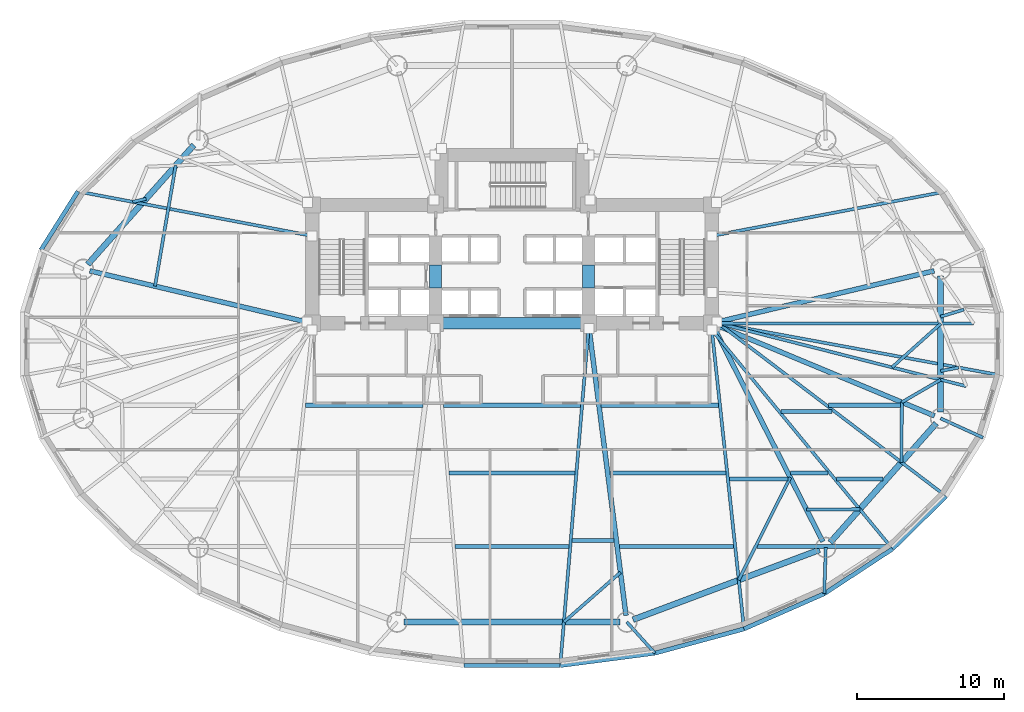
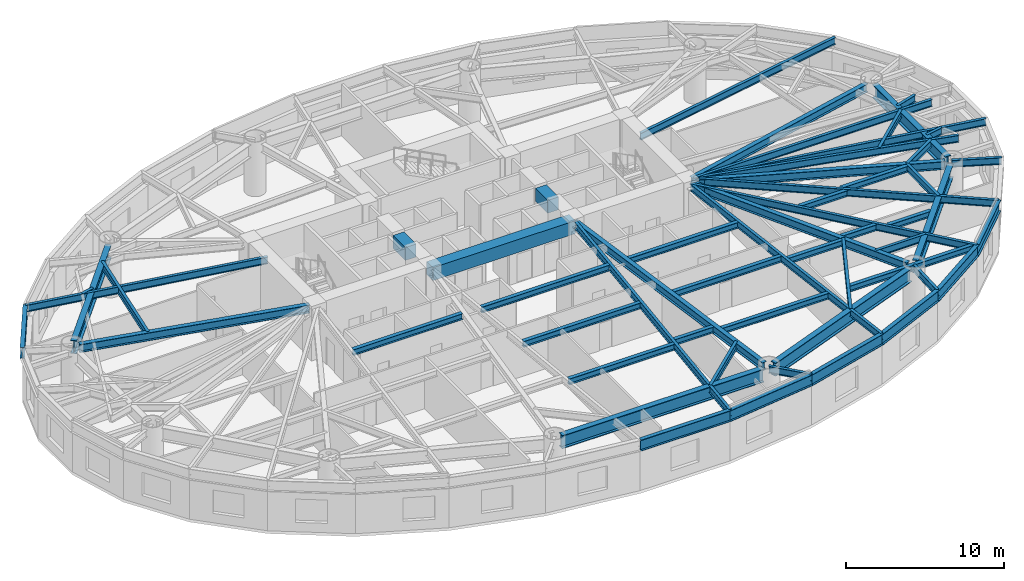
# One storey, part 2 of 14: 56 beams.
"""IFC4 building model written with IfcOpenShell, lengths in metres."""

from ifc_helpers import new_model, si_unit, direction, frame, origin, origin_2d, place, context, subcontext, project, spatial, rectangle, i_section, extrude, material, material_profile, profile_set, type_object, element, save


model = new_model("IFC4")

# Units and contexts
model_context = context("Model", 3, precision=1e-05, world=origin(), true_north=direction((0.0, 1.0)))
body_context = subcontext(model_context, "Body", "Model", "MODEL_VIEW")
ifc_project = project(units=[si_unit("LENGTHUNIT", "METRE"), si_unit("AREAUNIT", "SQUARE_METRE"), si_unit("VOLUMEUNIT", "CUBIC_METRE"), si_unit("PLANEANGLEUNIT", "RADIAN"), si_unit("MASSUNIT", "GRAM", prefix="KILO")], contexts=[model_context])

# Site, building, storey
site_placement = place(None, origin())
site = spatial("IfcSite", under=ifc_project, at=site_placement, CompositionType="ELEMENT")
building_placement = place(site_placement, origin())
building = spatial("IfcBuilding", under=site, at=building_placement, Name="Keldmark Tower", CompositionType="ELEMENT")
storey_placement = place(building_placement, frame((0.0, 0.0, 18.60009765625)))
storey = spatial("IfcBuildingStorey", under=building, at=storey_placement, Name="L04", CompositionType="ELEMENT", Elevation=18.60009765625)

# Beams
ifc_material_1 = material(Name="Steel ASTM A992 Grade 50", Category="steel")
ifc_material_profile_1 = material_profile(ifc_material_1, i_section(OverallWidth=0.280029296875, OverallDepth=0.462890625, WebThickness=0.0107421875, FlangeThickness=0.017333984375, at=origin_2d()), Name="W18X76")
ifc_profile_set_1 = profile_set([ifc_material_profile_1], Name="Steel ASTM A992 Grade 50")
beam_type_1 = type_object("IfcBeamType", Name="Composite Floor Joist W18X76", PredefinedType="JOIST", material=ifc_profile_set_1)
beam_1_placement = place(storey_placement, frame((-3.8662109375, -13.800048828125, 3.748291015625), z_axis=(1.0, 0.0, 0.0), x_axis=(0.0, 1.0, 0.0)))
element("IfcBeam", 1, at=beam_1_placement, inside=storey, type_object=beam_type_1, Name="L04 Composite Floor Joist J04", PredefinedType="JOIST", context=body_context, shape_type="SweptSolid", body=[
    extrude(i_section(OverallWidth=0.280029296875, OverallDepth=0.462890625, WebThickness=0.0107421875, FlangeThickness=0.017333984375, at=origin_2d()), origin(), (0.0, 0.0, 1.0), 7.732421875),
])
beam_2_placement = place(storey_placement, frame((4.09423828125, -13.3798828125, 3.748291015625), z_axis=(1.0, 0.0, 0.0), x_axis=(0.0, 1.0, 0.0)))
element("IfcBeam", 2, at=beam_2_placement, inside=storey, type_object=beam_type_1, Name="L04 Composite Floor Joist J05", PredefinedType="JOIST", context=body_context, shape_type="SweptSolid", body=[
    extrude(i_section(OverallWidth=0.280029296875, OverallDepth=0.462890625, WebThickness=0.0107421875, FlangeThickness=0.017333984375, at=origin_2d()), origin(), (0.0, 0.0, 1.0), 2.851806640625),
])
beam_3_placement = place(storey_placement, frame((7.311767578125, -13.800048828125, 3.748291015625), z_axis=(1.0, 0.0, 0.0), x_axis=(0.0, 1.0, 0.0)))
element("IfcBeam", 3, at=beam_3_placement, inside=storey, type_object=beam_type_1, Name="L04 Composite Floor Joist J06", PredefinedType="JOIST", context=body_context, shape_type="SweptSolid", body=[
    extrude(i_section(OverallWidth=0.280029296875, OverallDepth=0.462890625, WebThickness=0.0107421875, FlangeThickness=0.017333984375, at=origin_2d()), origin(), (0.0, 0.0, 1.0), 7.780029296875),
])
beam_4_placement = place(storey_placement, frame((16.68310546875, -13.800048828125, 3.748291015625), z_axis=(1.0, 0.0, 0.0), x_axis=(0.0, 1.0, 0.0)))
element("IfcBeam", 4, at=beam_4_placement, inside=storey, type_object=beam_type_1, Name="L04 Composite Floor Joist J07", PredefinedType="JOIST", context=body_context, shape_type="SweptSolid", body=[
    extrude(i_section(OverallWidth=0.280029296875, OverallDepth=0.462890625, WebThickness=0.0107421875, FlangeThickness=0.017333984375, at=origin_2d()), origin(), (0.0, 0.0, 1.0), 8.95751953125),
])
beam_5_placement = place(storey_placement, frame((-4.287353515625, -8.780029296875, 3.748291015625), z_axis=(1.0, 0.0, 0.0), x_axis=(0.0, 1.0, 0.0)))
element("IfcBeam", 5, at=beam_5_placement, inside=storey, type_object=beam_type_1, Name="L04 Composite Floor Joist J12", PredefinedType="JOIST", context=body_context, shape_type="SweptSolid", body=[
    extrude(i_section(OverallWidth=0.280029296875, OverallDepth=0.462890625, WebThickness=0.0107421875, FlangeThickness=0.017333984375, at=origin_2d()), origin(), (0.0, 0.0, 1.0), 8.57470703125),
])
beam_6_placement = place(storey_placement, frame((6.665771484375, -8.780029296875, 3.748291015625), z_axis=(1.0, 0.0, 0.0), x_axis=(0.0, 1.0, 0.0)))
element("IfcBeam", 6, at=beam_6_placement, inside=storey, type_object=beam_type_1, Name="L04 Composite Floor Joist J13", PredefinedType="JOIST", context=body_context, shape_type="SweptSolid", body=[
    extrude(i_section(OverallWidth=0.280029296875, OverallDepth=0.462890625, WebThickness=0.0107421875, FlangeThickness=0.017333984375, at=origin_2d()), origin(), (0.0, 0.0, 1.0), 7.885498046875),
])
beam_7_placement = place(storey_placement, frame((14.789794921875, -9.199951171875, 3.748291015625), z_axis=(1.0, 0.0, 0.0), x_axis=(0.0, 1.0, 0.0)))
element("IfcBeam", 7, at=beam_7_placement, inside=storey, type_object=beam_type_1, Name="L04 Composite Floor Joist J14", PredefinedType="JOIST", context=body_context, shape_type="SweptSolid", body=[
    extrude(i_section(OverallWidth=0.280029296875, OverallDepth=0.462890625, WebThickness=0.0107421875, FlangeThickness=0.017333984375, at=origin_2d()), origin(), (0.0, 0.0, 1.0), 3.982421875),
])
beam_8_placement = place(storey_placement, frame((18.947265625, -8.780029296875, 3.748291015625), z_axis=(1.0, 0.0, 0.0), x_axis=(0.0, 1.0, 0.0)))
element("IfcBeam", 8, at=beam_8_placement, inside=storey, type_object=beam_type_1, Name="L04 Composite Floor Joist J15", PredefinedType="JOIST", context=body_context, shape_type="SweptSolid", body=[
    extrude(i_section(OverallWidth=0.280029296875, OverallDepth=0.462890625, WebThickness=0.0107421875, FlangeThickness=0.017333984375, at=origin_2d()), origin(), (0.0, 0.0, 1.0), 2.552734375),
])
beam_9_placement = place(storey_placement, frame((22.09814453125, -9.199951171875, 3.748291015625), z_axis=(1.0, 0.0, 0.0), x_axis=(0.0, 1.0, 0.0)))
element("IfcBeam", 9, at=beam_9_placement, inside=storey, type_object=beam_type_1, Name="L04 Composite Floor Joist J16", PredefinedType="JOIST", context=body_context, shape_type="SweptSolid", body=[
    extrude(i_section(OverallWidth=0.280029296875, OverallDepth=0.462890625, WebThickness=0.0107421875, FlangeThickness=0.017333984375, at=origin_2d()), origin(), (0.0, 0.0, 1.0), 3.142822265625),
])
beam_10_placement = place(storey_placement, frame((-14.055908203125, -4.179931640625, 3.748291015625), z_axis=(1.0, 0.0, 0.0), x_axis=(0.0, 1.0, 0.0)))
element("IfcBeam", 10, at=beam_10_placement, inside=storey, type_object=beam_type_1, Name="L04 Composite Floor Joist J20", PredefinedType="JOIST", context=body_context, shape_type="SweptSolid", body=[
    extrude(i_section(OverallWidth=0.280029296875, OverallDepth=0.462890625, WebThickness=0.0107421875, FlangeThickness=0.017333984375, at=origin_2d()), origin(), (0.0, 0.0, 1.0), 7.98193359375),
])
beam_11_placement = place(storey_placement, frame((-4.67333984375, -4.179931640625, 3.748291015625), z_axis=(1.0, 0.0, 0.0), x_axis=(0.0, 1.0, 0.0)))
element("IfcBeam", 11, at=beam_11_placement, inside=storey, type_object=beam_type_1, Name="L04 Composite Floor Joist J21", PredefinedType="JOIST", context=body_context, shape_type="SweptSolid", body=[
    extrude(i_section(OverallWidth=0.280029296875, OverallDepth=0.462890625, WebThickness=0.0107421875, FlangeThickness=0.017333984375, at=origin_2d()), origin(), (0.0, 0.0, 1.0), 9.3466796875),
])
beam_12_placement = place(storey_placement, frame((6.073974609375, -4.179931640625, 3.748291015625), z_axis=(1.0, 0.0, 0.0), x_axis=(0.0, 1.0, 0.0)))
element("IfcBeam", 12, at=beam_12_placement, inside=storey, type_object=beam_type_1, Name="L04 Composite Floor Joist J22", PredefinedType="JOIST", context=body_context, shape_type="SweptSolid", body=[
    extrude(i_section(OverallWidth=0.280029296875, OverallDepth=0.462890625, WebThickness=0.0107421875, FlangeThickness=0.017333984375, at=origin_2d()), origin(), (0.0, 0.0, 1.0), 7.98193359375),
])
beam_13_placement = place(storey_placement, frame((18.303955078125, -4.60009765625, 3.748291015625), z_axis=(1.0, 0.0, 0.0), x_axis=(0.0, 1.0, 0.0)))
element("IfcBeam", 13, at=beam_13_placement, inside=storey, type_object=beam_type_1, Name="L04 Composite Floor Joist J23", PredefinedType="JOIST", context=body_context, shape_type="SweptSolid", body=[
    extrude(i_section(OverallWidth=0.280029296875, OverallDepth=0.462890625, WebThickness=0.0107421875, FlangeThickness=0.017333984375, at=origin_2d()), origin(), (0.0, 0.0, 1.0), 3.482177734375),
])
beam_14_placement = place(storey_placement, frame((21.55712890625, -4.179931640625, 3.748291015625), z_axis=(1.0, 0.0, 0.0), x_axis=(0.0, 1.0, 0.0)))
element("IfcBeam", 14, at=beam_14_placement, inside=storey, type_object=beam_type_1, Name="L04 Composite Floor Joist J24", PredefinedType="JOIST", context=body_context, shape_type="SweptSolid", body=[
    extrude(i_section(OverallWidth=0.280029296875, OverallDepth=0.462890625, WebThickness=0.0107421875, FlangeThickness=0.017333984375, at=origin_2d()), origin(), (0.0, 0.0, 1.0), 4.87646484375),
])
ifc_material_2 = material(Name="Concrete C70/85", Category="concrete")
ifc_material_profile_2 = material_profile(ifc_material_2, rectangle(XDim=0.800048828125, YDim=1.0, at=origin_2d()), Name="RCB800X1000")
ifc_profile_set_2 = profile_set([ifc_material_profile_2], Name="Concrete C70/85")
beam_type_2 = type_object("IfcBeamType", Name="Core Coupling Beam RCB800X1000", PredefinedType="USERDEFINED", material=ifc_profile_set_2)
for number, where, z_axis, x_axis, name in (
    (15, (-5.199951171875, 3.800048828125, 3.47998046875), (0.0, 1.0, 0.0), (-1.0, 0.0, 0.0), "L04 West Core Coupling Beam"),
    (16, (5.199951171875, 3.800048828125, 3.47998046875), (0.0, 1.0, 0.0), (-1.0, 0.0, 0.0), "L04 East Core Coupling Beam"),
):
    element("IfcBeam", number, at=place(storey_placement, frame(where, z_axis=z_axis, x_axis=x_axis)), inside=storey, type_object=beam_type_2, Name=name, ObjectType="COUPLING BEAM", PredefinedType="USERDEFINED", context=body_context, shape_type="SweptSolid", body=[
        extrude(rectangle(XDim=0.800048828125, YDim=1.0, at=origin_2d()), origin(), (0.0, 0.0, 1.0), 1.550048828125),
    ])
beam_15_placement = place(storey_placement, frame((-5.199951171875, 1.39990234375, 3.47998046875), z_axis=(1.0, 0.0, 0.0), x_axis=(0.0, 1.0, 0.0)))
element("IfcBeam", 17, at=beam_15_placement, inside=storey, type_object=beam_type_2, Name="L04 Central South Core Coupling Beam", ObjectType="COUPLING BEAM", PredefinedType="USERDEFINED", context=body_context, shape_type="SweptSolid", body=[
    extrude(rectangle(XDim=0.800048828125, YDim=1.0, at=origin_2d()), origin(), (0.0, 0.0, 1.0), 10.39990234375),
])
ifc_material_3 = material(Name="Steel ASTM A992 Grade 50", Category="steel")
ifc_material_profile_3 = material_profile(ifc_material_3, i_section(OverallWidth=0.402099609375, OverallDepth=1.011962890625, WebThickness=0.023681640625, FlangeThickness=0.0419921875, at=origin_2d()), Name="W40X297")
ifc_profile_set_3 = profile_set([ifc_material_profile_3], Name="Steel ASTM A992 Grade 50")
beam_type_3 = type_object("IfcBeamType", Name="Podium Primary Girder W40X297", PredefinedType="BEAM", material=ifc_profile_set_3)
beam_16_placement = place(storey_placement, frame((-21.65380859375, 13.523193359375, 3.473876953125), z_axis=(-0.66464984112, -0.747154996436, 0.0), x_axis=(0.747154996436, -0.66464984112, 0.0)))
element("IfcBeam", 18, at=beam_16_placement, inside=storey, type_object=beam_type_3, Name="L04 Podium Ring Girder PG-R05", PredefinedType="BEAM", context=body_context, shape_type="SweptSolid", body=[
    extrude(i_section(OverallWidth=0.402099609375, OverallDepth=1.011962890625, WebThickness=0.023681640625, FlangeThickness=0.0419921875, at=origin_2d()), origin(), (0.0, 0.0, 1.0), 10.85986328125),
])
beam_17_placement = place(storey_placement, frame((-7.3662109375, -18.93212890625, 3.473876953125), z_axis=(1.0, 0.0, 0.0), x_axis=(0.0, 1.0, 0.0)))
element("IfcBeam", 19, at=beam_17_placement, inside=storey, type_object=beam_type_3, Name="L04 Podium Ring Girder PG-R09", PredefinedType="BEAM", context=body_context, shape_type="SweptSolid", body=[
    extrude(i_section(OverallWidth=0.402099609375, OverallDepth=1.011962890625, WebThickness=0.023681640625, FlangeThickness=0.0419921875, at=origin_2d()), origin(), (0.0, 0.0, 1.0), 14.732421875),
])
beam_18_placement = place(storey_placement, frame((8.23779296875, -18.774169921875, 3.473876953125), z_axis=(0.936417954382, 0.350886612329, 0.0), x_axis=(-0.350886612329, 0.936417954382, 0.0)))
element("IfcBeam", 20, at=beam_18_placement, inside=storey, type_object=beam_type_3, Name="L04 Podium Ring Girder PG-R10", PredefinedType="BEAM", context=body_context, shape_type="SweptSolid", body=[
    extrude(i_section(OverallWidth=0.402099609375, OverallDepth=1.011962890625, WebThickness=0.023681640625, FlangeThickness=0.0419921875, at=origin_2d()), origin(), (0.0, 0.0, 1.0), 13.557373046875),
])
beam_19_placement = place(storey_placement, frame((21.65380859375, -13.523193359375, 3.473876953125), z_axis=(0.66464984112, 0.747154996436, 0.0), x_axis=(-0.747154996436, 0.66464984112, 0.0)))
element("IfcBeam", 21, at=beam_19_placement, inside=storey, type_object=beam_type_3, Name="L04 Podium Ring Girder PG-R11", PredefinedType="BEAM", context=body_context, shape_type="SweptSolid", body=[
    extrude(i_section(OverallWidth=0.402099609375, OverallDepth=1.011962890625, WebThickness=0.023681640625, FlangeThickness=0.0419921875, at=origin_2d()), origin(), (0.0, 0.0, 1.0), 10.85986328125),
])
beam_20_placement = place(storey_placement, frame((29.1708984375, -4.622802734375, 3.473876953125), z_axis=(0.0, 1.0, 0.0), x_axis=(-1.0, 0.0, 0.0)))
element("IfcBeam", 22, at=beam_20_placement, inside=storey, type_object=beam_type_3, Name="L04 Podium Ring Girder PG-R12", PredefinedType="BEAM", context=body_context, shape_type="SweptSolid", body=[
    extrude(i_section(OverallWidth=0.402099609375, OverallDepth=1.011962890625, WebThickness=0.023681640625, FlangeThickness=0.0419921875, at=origin_2d()), origin(), (0.0, 0.0, 1.0), 9.24560546875),
])
ifc_material_4 = material(Name="Steel ASTM A992 Grade 50", Category="steel")
ifc_material_profile_4 = material_profile(ifc_material_4, i_section(OverallWidth=0.2099609375, OverallDepth=0.537109375, WebThickness=0.010986328125, FlangeThickness=0.017333984375, at=origin_2d()), Name="W21X68")
ifc_profile_set_4 = profile_set([ifc_material_profile_4], Name="Steel ASTM A992 Grade 50")
beam_type_4 = type_object("IfcBeamType", Name="Radial Tie Girder W21X68", PredefinedType="BEAM", material=ifc_profile_set_4)
beam_21_placement = place(storey_placement, frame((-24.29541015625, 3.9228515625, 3.71142578125), z_axis=(0.168727090465, 0.985662806919, 0.0), x_axis=(-0.985662806919, 0.168727090465, 0.0)))
element("IfcBeam", 23, at=beam_21_placement, inside=storey, type_object=beam_type_4, Name="L04 Framing Pin Header PH-002", PredefinedType="BEAM", context=body_context, shape_type="SweptSolid", body=[
    extrude(i_section(OverallWidth=0.2099609375, OverallDepth=0.537109375, WebThickness=0.010986328125, FlangeThickness=0.017333984375, at=origin_2d()), origin(), (0.0, 0.0, 1.0), 8.330078125),
])
beam_22_placement = place(storey_placement, frame((26.53076171875, -3.975341796875, 3.71142578125), z_axis=(0.864583927723, 0.502488439591, 0.0), x_axis=(-0.502488439591, 0.864583927723, 0.0)))
element("IfcBeam", 24, at=beam_22_placement, inside=storey, type_object=beam_type_4, Name="L04 Framing Pin Header PH-004", PredefinedType="BEAM", context=body_context, shape_type="SweptSolid", body=[
    extrude(i_section(OverallWidth=0.2099609375, OverallDepth=0.537109375, WebThickness=0.010986328125, FlangeThickness=0.017333984375, at=origin_2d()), origin(), (0.0, 0.0, 1.0), 3.0537109375),
])
beam_23_placement = place(storey_placement, frame((14.050048828125, 1.39990234375, 3.71142578125), z_axis=(0.969223280707, -0.246183330336, 0.0), x_axis=(0.246183330336, 0.969223280707, 0.0)))
element("IfcBeam", 25, at=beam_23_placement, inside=storey, type_object=beam_type_4, Name="L04 Sub-Ring Step Girder STP1-M12", PredefinedType="BEAM", context=body_context, shape_type="SweptSolid", body=[
    extrude(i_section(OverallWidth=0.2099609375, OverallDepth=0.537109375, WebThickness=0.010986328125, FlangeThickness=0.017333984375, at=origin_2d()), origin(), (0.0, 0.0, 1.0), 17.409423828125),
])
beam_24_placement = place(storey_placement, frame((25.861328125, -1.60009765625, 3.71142578125), z_axis=(0.744769074926, 0.667322279737, 0.0), x_axis=(-0.667322279737, 0.744769074926, 0.0)))
element("IfcBeam", 26, at=beam_24_placement, inside=storey, type_object=beam_type_4, Name="L04 Framing Pin Header PH-007", PredefinedType="BEAM", context=body_context, shape_type="SweptSolid", body=[
    extrude(i_section(OverallWidth=0.2099609375, OverallDepth=0.537109375, WebThickness=0.010986328125, FlangeThickness=0.017333984375, at=origin_2d()), origin(), (0.0, 0.0, 1.0), 4.4638671875),
])
beam_25_placement = place(storey_placement, frame((14.050048828125, 1.39990234375, 3.71142578125), z_axis=(0.999999012479, -0.001405361477, 0.0), x_axis=(0.001405361477, 0.999999012479, 0.0)))
element("IfcBeam", 27, at=beam_25_placement, inside=storey, type_object=beam_type_4, Name="L04 Intermediate Radial Step Girder RT-01M", PredefinedType="BEAM", context=body_context, shape_type="SweptSolid", body=[
    extrude(i_section(OverallWidth=0.2099609375, OverallDepth=0.537109375, WebThickness=0.010986328125, FlangeThickness=0.017333984375, at=origin_2d()), origin(), (0.0, 0.0, 1.0), 17.3720703125),
])
beam_26_placement = place(storey_placement, frame((29.1708984375, 1.84912109375, 3.71142578125), z_axis=(0.956545506863, 0.291583081299, 0.0), x_axis=(-0.291583081299, 0.956545506863, 0.0)))
element("IfcBeam", 28, at=beam_26_placement, inside=storey, type_object=beam_type_4, Name="L04 Framing Pin Header PH-008", PredefinedType="BEAM", context=body_context, shape_type="SweptSolid", body=[
    extrude(i_section(OverallWidth=0.2099609375, OverallDepth=0.537109375, WebThickness=0.010986328125, FlangeThickness=0.017333984375, at=origin_2d()), origin(), (0.0, 0.0, 1.0), 1.659423828125),
])
beam_27_placement = place(storey_placement, frame((13.60009765625, 7.343017578125, 3.71142578125), z_axis=(0.982445190552, 0.186551460894, 0.0), x_axis=(-0.186551460894, 0.982445190552, 0.0)))
element("IfcBeam", 29, at=beam_27_placement, inside=storey, type_object=beam_type_4, Name="L04 Perimeter Radial Tie Girder RT-03", PredefinedType="BEAM", context=body_context, shape_type="SweptSolid", body=[
    extrude(i_section(OverallWidth=0.2099609375, OverallDepth=0.537109375, WebThickness=0.010986328125, FlangeThickness=0.017333984375, at=origin_2d()), origin(), (0.0, 0.0, 1.0), 16.229248046875),
])
beam_28_placement = place(storey_placement, frame((-24.90185546875, 9.871826171875, 3.71142578125), z_axis=(-0.974258642334, -0.225433133848, 0.0), x_axis=(0.225433133848, -0.974258642334, 0.0)))
element("IfcBeam", 30, at=beam_28_placement, inside=storey, type_object=beam_type_4, Name="L04 Framing Pin Header PH-016", PredefinedType="BEAM", context=body_context, shape_type="SweptSolid", body=[
    extrude(i_section(OverallWidth=0.2099609375, OverallDepth=0.537109375, WebThickness=0.010986328125, FlangeThickness=0.017333984375, at=origin_2d()), origin(), (0.0, 0.0, 1.0), 0.932373046875),
])
beam_29_placement = place(storey_placement, frame((-13.60009765625, 7.343017578125, 3.71142578125), z_axis=(-0.982445190552, 0.186551460894, 0.0), x_axis=(-0.186551460894, -0.982445190552, 0.0)))
element("IfcBeam", 31, at=beam_29_placement, inside=storey, type_object=beam_type_4, Name="L04 Perimeter Radial Tie Girder RT-14", PredefinedType="BEAM", context=body_context, shape_type="SweptSolid", body=[
    extrude(i_section(OverallWidth=0.2099609375, OverallDepth=0.537109375, WebThickness=0.010986328125, FlangeThickness=0.017333984375, at=origin_2d()), origin(), (0.0, 0.0, 1.0), 16.229248046875),
])
beam_30_placement = place(storey_placement, frame((7.3818359375, -15.554931640625, 3.71142578125), z_axis=(-0.751746259669, -0.659452470671, 0.0), x_axis=(0.659452470671, -0.751746259669, 0.0)))
element("IfcBeam", 32, at=beam_30_placement, inside=storey, type_object=beam_type_4, Name="L04 Framing Pin Header PH-023", PredefinedType="BEAM", context=body_context, shape_type="SweptSolid", body=[
    extrude(i_section(OverallWidth=0.2099609375, OverallDepth=0.537109375, WebThickness=0.010986328125, FlangeThickness=0.017333984375, at=origin_2d()), origin(), (0.0, 0.0, 1.0), 5.12109375),
])
beam_31_placement = place(storey_placement, frame((5.199951171875, 0.949951171875, 3.71142578125), z_axis=(-0.083591035889, -0.996500144867, 0.0), x_axis=(0.996500144867, -0.083591035889, 0.0)))
element("IfcBeam", 33, at=beam_31_placement, inside=storey, type_object=beam_type_4, Name="L04 Perimeter Radial Tie Girder RT-25", PredefinedType="BEAM", context=body_context, shape_type="SweptSolid", body=[
    extrude(i_section(OverallWidth=0.2099609375, OverallDepth=0.537109375, WebThickness=0.010986328125, FlangeThickness=0.017333984375, at=origin_2d()), origin(), (0.0, 0.0, 1.0), 22.92431640625),
])
beam_32_placement = place(storey_placement, frame((7.81640625, -18.93212890625, 3.71142578125), z_axis=(0.668898533975, -0.743353718795, 0.0), x_axis=(0.743353718795, 0.668898533975, 0.0)))
element("IfcBeam", 34, at=beam_32_placement, inside=storey, type_object=beam_type_4, Name="L04 Perimeter Column Bracket RT-26", PredefinedType="BEAM", context=body_context, shape_type="SweptSolid", body=[
    extrude(i_section(OverallWidth=0.2099609375, OverallDepth=0.537109375, WebThickness=0.010986328125, FlangeThickness=0.017333984375, at=origin_2d()), origin(), (0.0, 0.0, 1.0), 2.852783203125),
])
beam_33_placement = place(storey_placement, frame((18.93310546875, -9.09423828125, 3.71142578125), z_axis=(-0.447976051769, -0.894045556469, 0.0), x_axis=(0.894045556469, -0.447976051769, 0.0)))
element("IfcBeam", 35, at=beam_33_placement, inside=storey, type_object=beam_type_4, Name="L04 Framing Pin Header PH-024", PredefinedType="BEAM", context=body_context, shape_type="SweptSolid", body=[
    extrude(i_section(OverallWidth=0.2099609375, OverallDepth=0.537109375, WebThickness=0.010986328125, FlangeThickness=0.017333984375, at=origin_2d()), origin(), (0.0, 0.0, 1.0), 7.811279296875),
])
beam_34_placement = place(storey_placement, frame((13.60009765625, 0.949951171875, 3.71142578125), z_axis=(0.10706666985, -0.994251843452, 0.0), x_axis=(0.994251843452, 0.10706666985, 0.0)))
element("IfcBeam", 36, at=beam_34_placement, inside=storey, type_object=beam_type_4, Name="L04 Perimeter Radial Tie Girder RT-27", PredefinedType="BEAM", context=body_context, shape_type="SweptSolid", body=[
    extrude(i_section(OverallWidth=0.2099609375, OverallDepth=0.537109375, WebThickness=0.010986328125, FlangeThickness=0.017333984375, at=origin_2d()), origin(), (0.0, 0.0, 1.0), 20.469970703125),
])
beam_35_placement = place(storey_placement, frame((21.3544921875, -13.859375, 3.71142578125), z_axis=(-0.032491176768, -0.999472022336, 0.0), x_axis=(0.999472022336, -0.032491176768, 0.0)))
element("IfcBeam", 37, at=beam_35_placement, inside=storey, type_object=beam_type_4, Name="L04 Perimeter Column Bracket RT-28", PredefinedType="BEAM", context=body_context, shape_type="SweptSolid", body=[
    extrude(i_section(OverallWidth=0.2099609375, OverallDepth=0.537109375, WebThickness=0.010986328125, FlangeThickness=0.017333984375, at=origin_2d()), origin(), (0.0, 0.0, 1.0), 3.1484375),
])
beam_36_placement = place(storey_placement, frame((20.0419921875, -11.276123046875, 3.71142578125), z_axis=(0.999986569863, 0.005182672537, 0.0), x_axis=(-0.005182672537, 0.999986569863, 0.0)))
element("IfcBeam", 38, at=beam_36_placement, inside=storey, type_object=beam_type_4, Name="L04 Framing Pin Header PH-025", PredefinedType="BEAM", context=body_context, shape_type="SweptSolid", body=[
    extrude(i_section(OverallWidth=0.2099609375, OverallDepth=0.537109375, WebThickness=0.010986328125, FlangeThickness=0.017333984375, at=origin_2d()), origin(), (0.0, 0.0, 1.0), 3.627197265625),
])
beam_37_placement = place(storey_placement, frame((13.60009765625, 0.949951171875, 3.71142578125), z_axis=(0.636316421227, -0.771428163912, 0.0), x_axis=(0.771428163912, 0.636316421227, 0.0)))
element("IfcBeam", 39, at=beam_37_placement, inside=storey, type_object=beam_type_4, Name="L04 Perimeter Radial Tie Girder RT-29", PredefinedType="BEAM", context=body_context, shape_type="SweptSolid", body=[
    extrude(i_section(OverallWidth=0.2099609375, OverallDepth=0.537109375, WebThickness=0.010986328125, FlangeThickness=0.017333984375, at=origin_2d()), origin(), (0.0, 0.0, 1.0), 19.323486328125),
])
beam_38_placement = place(storey_placement, frame((26.53076171875, -3.975341796875, 3.71142578125), z_axis=(-0.005253345215, -0.999986201087, 0.0), x_axis=(0.999986201087, -0.005253345215, 0.0)))
element("IfcBeam", 40, at=beam_38_placement, inside=storey, type_object=beam_type_4, Name="L04 Framing Pin Header PH-026", PredefinedType="BEAM", context=body_context, shape_type="SweptSolid", body=[
    extrude(i_section(OverallWidth=0.2099609375, OverallDepth=0.537109375, WebThickness=0.010986328125, FlangeThickness=0.017333984375, at=origin_2d()), origin(), (0.0, 0.0, 1.0), 4.089599609375),
])
beam_39_placement = place(storey_placement, frame((14.050048828125, 1.39990234375, 3.71142578125), z_axis=(0.796291526481, -0.604913055616, 0.0), x_axis=(0.604913055616, 0.796291526481, 0.0)))
element("IfcBeam", 41, at=beam_39_placement, inside=storey, type_object=beam_type_4, Name="L04 Perimeter Radial Tie Girder RT-30", PredefinedType="BEAM", context=body_context, shape_type="SweptSolid", body=[
    extrude(i_section(OverallWidth=0.2099609375, OverallDepth=0.537109375, WebThickness=0.010986328125, FlangeThickness=0.017333984375, at=origin_2d()), origin(), (0.0, 0.0, 1.0), 19.458251953125),
])
beam_40_placement = place(storey_placement, frame((29.1708984375, -5.072998046875, 3.71142578125), z_axis=(0.910237250682, -0.414087125458, 0.0), x_axis=(0.414087125458, 0.910237250682, 0.0)))
element("IfcBeam", 42, at=beam_40_placement, inside=storey, type_object=beam_type_4, Name="L04 Perimeter Column Bracket RT-31", PredefinedType="BEAM", context=body_context, shape_type="SweptSolid", body=[
    extrude(i_section(OverallWidth=0.2099609375, OverallDepth=0.537109375, WebThickness=0.010986328125, FlangeThickness=0.017333984375, at=origin_2d()), origin(), (0.0, 0.0, 1.0), 3.17138671875),
])
beam_41_placement = place(storey_placement, frame((29.1708984375, -1.84912109375, 3.71142578125), z_axis=(0.982609535438, 0.185683873469, 0.0), x_axis=(-0.185683873469, 0.982609535438, 0.0)))
element("IfcBeam", 43, at=beam_41_placement, inside=storey, type_object=beam_type_4, Name="L04 Framing Pin Header PH-027", PredefinedType="BEAM", context=body_context, shape_type="SweptSolid", body=[
    extrude(i_section(OverallWidth=0.2099609375, OverallDepth=0.537109375, WebThickness=0.010986328125, FlangeThickness=0.017333984375, at=origin_2d()), origin(), (0.0, 0.0, 1.0), 1.257080078125),
])
beam_42_placement = place(storey_placement, frame((14.050048828125, 1.39990234375, 3.71142578125), z_axis=(0.983423761945, -0.181322101363, 0.0), x_axis=(0.181322101363, 0.983423761945, 0.0)))
element("IfcBeam", 44, at=beam_42_placement, inside=storey, type_object=beam_type_4, Name="L04 Perimeter Radial Tie Girder RT-32", PredefinedType="BEAM", context=body_context, shape_type="SweptSolid", body=[
    extrude(i_section(OverallWidth=0.2099609375, OverallDepth=0.537109375, WebThickness=0.010986328125, FlangeThickness=0.017333984375, at=origin_2d()), origin(), (0.0, 0.0, 1.0), 19.61376953125),
])
ifc_material_5 = material(Name="Steel ASTM A992 Grade 50", Category="steel")
ifc_material_profile_5 = material_profile(ifc_material_5, i_section(OverallWidth=0.326904296875, OverallDepth=0.6220703125, WebThickness=0.015380859375, FlangeThickness=0.0244140625, at=origin_2d()), Name="W24X131")
ifc_profile_set_5 = profile_set([ifc_material_profile_5], Name="Steel ASTM A992 Grade 50")
beam_type_5 = type_object("IfcBeamType", Name="Spandrel Ring Beam W24X131", PredefinedType="SPANDREL", material=ifc_profile_set_5)
for number, where, z_axis, x_axis, name in (
    (45, (28.73291015625, 4.969482421875, 3.6689453125), (-0.973292516513, -0.229568458854, 0.0), (0.229568458854, -0.973292516513, 0.0), "L04 Podium Radial Girder PG-C01"),
    (46, (-28.73291015625, 4.969482421875, 3.6689453125), (0.973292516513, -0.229568458854, 0.0), (0.229568458854, 0.973292516513, 0.0), "L04 Podium Radial Girder PG-C06"),
):
    element("IfcBeam", number, at=place(storey_placement, frame(where, z_axis=z_axis, x_axis=x_axis)), inside=storey, type_object=beam_type_5, Name=name, PredefinedType="SPANDREL", context=body_context, shape_type="SweptSolid", body=[
        extrude(i_section(OverallWidth=0.326904296875, OverallDepth=0.6220703125, WebThickness=0.015380859375, FlangeThickness=0.0244140625, at=origin_2d()), origin(), (0.0, 0.0, 1.0), 15.1982421875),
    ])
beam_43_placement = place(storey_placement, frame((7.7587890625, -18.48583984375, 3.6689453125), z_axis=(-0.127622930912, 0.991822760127, 0.0), x_axis=(-0.991822760127, -0.127622930912, 0.0)))
element("IfcBeam", 47, at=beam_43_placement, inside=storey, type_object=beam_type_5, Name="L04 Podium Radial Girder PG-C10", PredefinedType="SPANDREL", context=body_context, shape_type="SweptSolid", body=[
    extrude(i_section(OverallWidth=0.326904296875, OverallDepth=0.6220703125, WebThickness=0.015380859375, FlangeThickness=0.0244140625, at=origin_2d()), origin(), (0.0, 0.0, 1.0), 19.699951171875),
])
beam_44_placement = place(storey_placement, frame((21.150634765625, -13.4580078125, 3.6689453125), z_axis=(-0.45304555932, 0.891487364566, 0.0), x_axis=(-0.891487364566, -0.45304555932, 0.0)))
element("IfcBeam", 48, at=beam_44_placement, inside=storey, type_object=beam_type_5, Name="L04 Podium Radial Girder PG-C11", PredefinedType="SPANDREL", context=body_context, shape_type="SweptSolid", body=[
    extrude(i_section(OverallWidth=0.326904296875, OverallDepth=0.6220703125, WebThickness=0.015380859375, FlangeThickness=0.0244140625, at=origin_2d()), origin(), (0.0, 0.0, 1.0), 16.31640625),
])
beam_45_placement = place(storey_placement, frame((28.755615234375, -4.900146484375, 3.6689453125), z_axis=(-0.923395872542, 0.383849010123, 0.0), x_axis=(-0.383849010123, -0.923395872542, 0.0)))
element("IfcBeam", 49, at=beam_45_placement, inside=storey, type_object=beam_type_5, Name="L04 Podium Radial Girder PG-C12", PredefinedType="SPANDREL", context=body_context, shape_type="SweptSolid", body=[
    extrude(i_section(OverallWidth=0.326904296875, OverallDepth=0.6220703125, WebThickness=0.015380859375, FlangeThickness=0.0244140625, at=origin_2d()), origin(), (0.0, 0.0, 1.0), 16.06298828125),
])
ifc_material_6 = material(Name="Steel ASTM A992 Grade 50", Category="steel")
ifc_material_profile_6 = material_profile(ifc_material_6, i_section(OverallWidth=0.2919921875, OverallDepth=0.85888671875, WebThickness=0.01708984375, FlangeThickness=0.031005859375, at=origin_2d()), Name="W33X169")
ifc_profile_set_6 = profile_set([ifc_material_profile_6], Name="Steel ASTM A992 Grade 50")
beam_type_6 = type_object("IfcBeamType", Name="Spandrel Ring Beam W33X169", PredefinedType="SPANDREL", material=ifc_profile_set_6)
beam_46_placement = place(storey_placement, frame((-29.54443359375, 10.37060546875, 3.55029296875), z_axis=(-0.53349762721, -0.845801561693, 0.0), x_axis=(0.845801561693, -0.53349762721, 0.0)))
element("IfcBeam", 50, at=beam_46_placement, inside=storey, type_object=beam_type_6, Name="L04 Perimeter Spandrel Ring Beam SRB-14", PredefinedType="SPANDREL", context=body_context, shape_type="SweptSolid", body=[
    extrude(i_section(OverallWidth=0.2919921875, OverallDepth=0.85888671875, WebThickness=0.01708984375, FlangeThickness=0.031005859375, at=origin_2d()), origin(), (0.0, 0.0, 1.0), 4.710693359375),
])
beam_47_placement = place(storey_placement, frame((-3.28369140625, -21.89404296875, 3.55029296875), z_axis=(1.0, 0.0, 0.0), x_axis=(0.0, 1.0, 0.0)))
element("IfcBeam", 51, at=beam_47_placement, inside=storey, type_object=beam_type_6, Name="L04 Perimeter Spandrel Ring Beam SRB-24", PredefinedType="SPANDREL", context=body_context, shape_type="SweptSolid", body=[
    extrude(i_section(OverallWidth=0.2919921875, OverallDepth=0.85888671875, WebThickness=0.01708984375, FlangeThickness=0.031005859375, at=origin_2d()), origin(), (0.0, 0.0, 1.0), 6.5673828125),
])
beam_48_placement = place(storey_placement, frame((3.28369140625, -21.89404296875, 3.55029296875), z_axis=(0.991576921472, 0.129519144545, 0.0), x_axis=(-0.129519144545, 0.991576921472, 0.0)))
element("IfcBeam", 52, at=beam_48_placement, inside=storey, type_object=beam_type_6, Name="L04 Perimeter Spandrel Ring Beam SRB-25", PredefinedType="SPANDREL", context=body_context, shape_type="SweptSolid", body=[
    extrude(i_section(OverallWidth=0.2919921875, OverallDepth=0.85888671875, WebThickness=0.01708984375, FlangeThickness=0.031005859375, at=origin_2d()), origin(), (0.0, 0.0, 1.0), 6.49560546875),
])
beam_49_placement = place(storey_placement, frame((9.724609375, -21.052734375, 3.55029296875), z_axis=(0.964936550718, 0.262483243445, 0.0), x_axis=(-0.262483243445, 0.964936550718, 0.0)))
element("IfcBeam", 53, at=beam_49_placement, inside=storey, type_object=beam_type_6, Name="L04 Perimeter Spandrel Ring Beam SRB-26", PredefinedType="SPANDREL", context=body_context, shape_type="SweptSolid", body=[
    extrude(i_section(OverallWidth=0.2919921875, OverallDepth=0.85888671875, WebThickness=0.01708984375, FlangeThickness=0.031005859375, at=origin_2d()), origin(), (0.0, 0.0, 1.0), 6.28759765625),
])
beam_50_placement = place(storey_placement, frame((15.791748046875, -19.40234375, 3.55029296875), z_axis=(0.91570760638, 0.401845218484, 0.0), x_axis=(-0.401845218484, 0.91570760638, 0.0)))
element("IfcBeam", 54, at=beam_50_placement, inside=storey, type_object=beam_type_6, Name="L04 Perimeter Spandrel Ring Beam SRB-27", PredefinedType="SPANDREL", context=body_context, shape_type="SweptSolid", body=[
    extrude(i_section(OverallWidth=0.2919921875, OverallDepth=0.85888671875, WebThickness=0.01708984375, FlangeThickness=0.031005859375, at=origin_2d()), origin(), (0.0, 0.0, 1.0), 5.963134765625),
])
beam_51_placement = place(storey_placement, frame((21.252197265625, -17.006103515625, 3.55029296875), z_axis=(0.835897322981, 0.548885840073, 0.0), x_axis=(-0.548885840073, 0.835897322981, 0.0)))
element("IfcBeam", 55, at=beam_51_placement, inside=storey, type_object=beam_type_6, Name="L04 Perimeter Spandrel Ring Beam SRB-28", PredefinedType="SPANDREL", context=body_context, shape_type="SweptSolid", body=[
    extrude(i_section(OverallWidth=0.2919921875, OverallDepth=0.85888671875, WebThickness=0.01708984375, FlangeThickness=0.031005859375, at=origin_2d()), origin(), (0.0, 0.0, 1.0), 5.555419921875),
])
beam_52_placement = place(storey_placement, frame((25.89599609375, -13.956787109375, 3.55029296875), z_axis=(0.713165222071, 0.700995981464, 0.0), x_axis=(-0.700995981464, 0.713165222071, 0.0)))
element("IfcBeam", 56, at=beam_52_placement, inside=storey, type_object=beam_type_6, Name="L04 Perimeter Spandrel Ring Beam SRB-29", PredefinedType="SPANDREL", context=body_context, shape_type="SweptSolid", body=[
    extrude(i_section(OverallWidth=0.2919921875, OverallDepth=0.85888671875, WebThickness=0.01708984375, FlangeThickness=0.031005859375, at=origin_2d()), origin(), (0.0, 0.0, 1.0), 5.11572265625),
])

save(model, "model.ifc")
